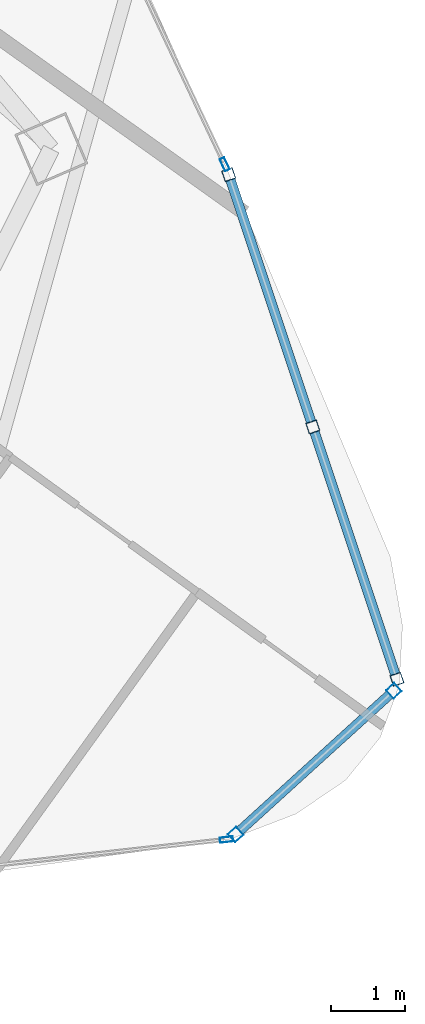
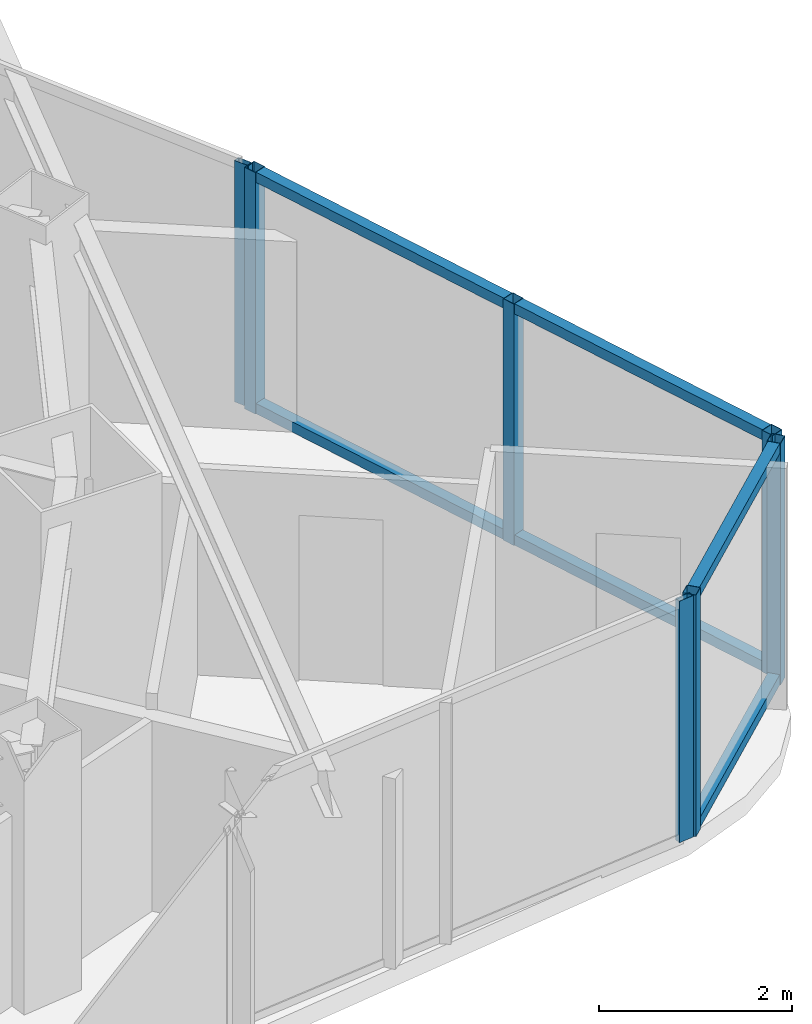
# One storey, part 14 of 30: 13 members, 4 elements without a shape of their own.
"""IFC4 building model written with IfcOpenShell, lengths in metres."""

from ifc_helpers import new_model, si_unit, direction, frame, origin, origin_2d, place, context, subcontext, project, spatial, hollow_rectangle, extrude, material, layer, layer_set, material_profile, profile_set, type_object, element, aggregate, save


model = new_model("IFC4")

# Units and contexts
model_context = context("Model", 3, precision=1e-05, world=origin(), true_north=direction((0.0, 1.0)))
body_context = subcontext(model_context, "Body", "Model", "MODEL_VIEW")
ifc_project = project(units=[si_unit("LENGTHUNIT", "METRE"), si_unit("AREAUNIT", "SQUARE_METRE"), si_unit("VOLUMEUNIT", "CUBIC_METRE"), si_unit("PLANEANGLEUNIT", "RADIAN"), si_unit("MASSUNIT", "GRAM", prefix="KILO")], contexts=[model_context])

# Site, building, storey
site_placement = place(None, origin())
site = spatial("IfcSite", under=ifc_project, at=site_placement, CompositionType="ELEMENT")
building_placement = place(site_placement, origin())
building = spatial("IfcBuilding", under=site, at=building_placement, Name="Orvanel Arch Residences", CompositionType="ELEMENT")
storey_placement = place(building_placement, frame((0.0, 0.0, 139.699951171875)))
storey = spatial("IfcBuildingStorey", under=building, at=storey_placement, Name="L39", CompositionType="ELEMENT", Elevation=139.699951171875)

# Curtain wall, members
ifc_material = material(Name="Bronze-anodised aluminium AA6063-T6", Category="aluminium")
ifc_layer_1 = layer(ifc_material, 0.18994140625)
ifc_layer_set_1 = layer_set([ifc_layer_1], Name="Bronze-anodised aluminium AA6063-T6")
curtain_wall_type_1 = type_object("IfcCurtainWallType", Name="CW5-CRN-SYS", PredefinedType="NOTDEFINED", material=ifc_layer_set_1)
curtain_wall_1_placement = place(storey_placement, origin())
curtain_wall_1 = element("IfcCurtainWall", 1, at=curtain_wall_1_placement, inside=storey, type_object=curtain_wall_type_1, Name="L39 CW5-CRN-SYS Unitised Curtain Wall", PredefinedType="NOTDEFINED")
ifc_material_profile_1 = material_profile(ifc_material, hollow_rectangle(XDim=0.14990234375, YDim=0.14990234375, WallThickness=0.0048828125, at=origin_2d()), Name="ALU150x150x5")
ifc_profile_set_1 = profile_set([ifc_material_profile_1], Name="Bronze-anodised aluminium AA6063-T6")
member_type_1 = type_object("IfcMemberType", Name="MUL-150x150", PredefinedType="MULLION", material=ifc_profile_set_1)
member_1_placement = place(storey_placement, frame((56.39453125, 5.33349609375, 0.0), z_axis=(0.0, 0.0, 1.0), x_axis=(-0.672508692738, 0.740089223129, 0.0)))
member_1 = element("IfcMember", 2, at=member_1_placement, type_object=member_type_1, Name="CW-S5 mullion 1", PredefinedType="MULLION", context=body_context, shape_type="SweptSolid", body=[
    extrude(hollow_rectangle(XDim=0.14990234375, YDim=0.14990234375, WallThickness=0.0048828125, at=origin_2d()), origin(), (0.0, 0.0, 1.0), 3.06005859375),
])
member_2_placement = place(storey_placement, frame((58.528564453125, 7.2724609375, 0.0), z_axis=(0.0, 0.0, 1.0), x_axis=(-0.672508692738, 0.740089223129, 0.0)))
member_2 = element("IfcMember", 3, at=member_2_placement, type_object=member_type_1, Name="CW-S5 mullion 2", PredefinedType="MULLION", context=body_context, shape_type="SweptSolid", body=[
    extrude(hollow_rectangle(XDim=0.14990234375, YDim=0.14990234375, WallThickness=0.0048828125, at=origin_2d()), origin(), (0.0, 0.0, 1.0), 3.06005859375),
])

curtain_wall_2_placement = place(storey_placement, origin())
curtain_wall_2 = element("IfcCurtainWall", 4, at=curtain_wall_2_placement, inside=storey, type_object=curtain_wall_type_1, Name="L39 CW5-CRN-SYS Unitised Curtain Wall", PredefinedType="NOTDEFINED")
member_3_placement = place(storey_placement, frame((58.5693359375, 7.42626953125, 0.0), z_axis=(0.0, 0.0, 1.0), x_axis=(-0.948642347398, -0.316350591471, 0.0)))
member_3 = element("IfcMember", 5, at=member_3_placement, type_object=member_type_1, Name="CW-S5 mullion 1", PredefinedType="MULLION", context=body_context, shape_type="SweptSolid", body=[
    extrude(hollow_rectangle(XDim=0.14990234375, YDim=0.14990234375, WallThickness=0.0048828125, at=origin_2d()), origin(), (0.0, 0.0, 1.0), 3.06005859375),
])
member_4_placement = place(storey_placement, frame((57.43408203125, 10.83056640625, 0.0), z_axis=(0.0, 0.0, 1.0), x_axis=(-0.948642347398, -0.316350591471, 0.0)))
member_4 = element("IfcMember", 6, at=member_4_placement, type_object=member_type_1, Name="CW-S5 mullion 2", PredefinedType="MULLION", context=body_context, shape_type="SweptSolid", body=[
    extrude(hollow_rectangle(XDim=0.14990234375, YDim=0.14990234375, WallThickness=0.0048828125, at=origin_2d()), origin(), (0.0, 0.0, 1.0), 3.06005859375),
])
member_5_placement = place(storey_placement, frame((56.298828125, 14.23486328125, 0.0), z_axis=(0.0, 0.0, 1.0), x_axis=(-0.948642347398, -0.316350591471, 0.0)))
member_5 = element("IfcMember", 7, at=member_5_placement, type_object=member_type_1, Name="CW-S5 mullion 3", PredefinedType="MULLION", context=body_context, shape_type="SweptSolid", body=[
    extrude(hollow_rectangle(XDim=0.14990234375, YDim=0.14990234375, WallThickness=0.0048828125, at=origin_2d()), origin(), (0.0, 0.0, 1.0), 3.06005859375),
])

# Curtain wall, member
ifc_layer_2 = layer(ifc_material, 0.179931640625)
ifc_layer_set_2 = layer_set([ifc_layer_2], Name="Bronze-anodised aluminium AA6063-T6")
curtain_wall_type_2 = type_object("IfcCurtainWallType", Name="CW3-MID-SYS", PredefinedType="NOTDEFINED", material=ifc_layer_set_2)
curtain_wall_3_placement = place(storey_placement, origin())
curtain_wall_3 = element("IfcCurtainWall", 8, at=curtain_wall_3_placement, inside=storey, type_object=curtain_wall_type_2, Name="L39 CW3-MID-SYS Unitised Curtain Wall", PredefinedType="NOTDEFINED")
ifc_material_profile_2 = material_profile(ifc_material, hollow_rectangle(XDim=0.070068359375, YDim=0.179931640625, WallThickness=0.00439453125, at=origin_2d()), Name="ALU180x70x4.5")
ifc_profile_set_2 = profile_set([ifc_material_profile_2], Name="Bronze-anodised aluminium AA6063-T6")
member_type_2 = type_object("IfcMemberType", Name="MUL-180x70", PredefinedType="MULLION", material=ifc_profile_set_2)
member_6_placement = place(storey_placement, frame((56.269287109375, 5.26416015625, 0.0), z_axis=(0.0, 0.0, 1.0), x_axis=(-0.109856452012, 0.993947463376, 0.0)))
member_6 = element("IfcMember", 9, at=member_6_placement, type_object=member_type_2, Name="CW-S3 mullion 4", PredefinedType="MULLION", context=body_context, shape_type="SweptSolid", body=[
    extrude(hollow_rectangle(XDim=0.070068359375, YDim=0.179931640625, WallThickness=0.00439453125, at=origin_2d()), origin(), (0.0, 0.0, 1.0), 3.06005859375),
])
aggregate(curtain_wall_3, [member_6])

curtain_wall_4_placement = place(storey_placement, origin())
curtain_wall_4 = element("IfcCurtainWall", 10, at=curtain_wall_4_placement, inside=storey, type_object=curtain_wall_type_2, Name="L39 CW3-MID-SYS Unitised Curtain Wall", PredefinedType="NOTDEFINED")
member_7_placement = place(storey_placement, frame((56.2451171875, 14.374755859375, 0.0), z_axis=(0.0, 0.0, 1.0), x_axis=(-0.904718317151, -0.426010289326, 0.0)))
member_7 = element("IfcMember", 11, at=member_7_placement, type_object=member_type_2, Name="CW-S3 mullion 1", PredefinedType="MULLION", context=body_context, shape_type="SweptSolid", body=[
    extrude(hollow_rectangle(XDim=0.070068359375, YDim=0.179931640625, WallThickness=0.00439453125, at=origin_2d()), origin(), (0.0, 0.0, 1.0), 3.06005859375),
])
aggregate(curtain_wall_4, [member_7])

# Member
ifc_material_profile_3 = material_profile(ifc_material, hollow_rectangle(XDim=0.1298828125, YDim=0.1298828125, WallThickness=0.00439453125, at=origin_2d()), Name="ALU130x130x4.5")
ifc_profile_set_3 = profile_set([ifc_material_profile_3], Name="Bronze-anodised aluminium AA6063-T6")
member_type_3 = type_object("IfcMemberType", Name="TRN-130x130", PredefinedType="USERDEFINED", material=ifc_profile_set_3)
member_8_placement = place(storey_placement, frame((56.449951171875, 5.3837890625, 0.06494140625), z_axis=(0.740061303002, 0.672539417283, 0.0), x_axis=(-0.672539417283, 0.740061303002, 0.0)))
member_8 = element("IfcMember", 12, at=member_8_placement, type_object=member_type_3, Name="CW-S5 transom 1.1", ObjectType="TRANSOM", PredefinedType="USERDEFINED", context=body_context, shape_type="SweptSolid", body=[
    extrude(hollow_rectangle(XDim=0.1298828125, YDim=0.1298828125, WallThickness=0.00439453125, at=origin_2d()), origin(), (0.0, 0.0, 1.0), 2.7333984375),
])

member_9_placement = place(storey_placement, frame((56.449951171875, 5.3837890625, 2.9951171875), z_axis=(0.740061303002, 0.672539417283, 0.0), x_axis=(-0.672539417283, 0.740061303002, 0.0)))
member_9 = element("IfcMember", 13, at=member_9_placement, type_object=member_type_3, Name="CW-S5 transom 1.2", ObjectType="TRANSOM", PredefinedType="USERDEFINED", context=body_context, shape_type="SweptSolid", body=[
    extrude(hollow_rectangle(XDim=0.1298828125, YDim=0.1298828125, WallThickness=0.00439453125, at=origin_2d()), origin(), (0.0, 0.0, 1.0), 2.7333984375),
])

aggregate(curtain_wall_1, [member_1, member_2, member_8, member_9])

member_10_placement = place(storey_placement, frame((58.545654296875, 7.497314453125, 0.06494140625), z_axis=(-0.316376862518, 0.948633586198, 0.0), x_axis=(-0.948633586198, -0.316376862518, 0.0)))
member_10 = element("IfcMember", 14, at=member_10_placement, type_object=member_type_3, Name="CW-S5 transom 1.1", ObjectType="TRANSOM", PredefinedType="USERDEFINED", context=body_context, shape_type="SweptSolid", body=[
    extrude(hollow_rectangle(XDim=0.1298828125, YDim=0.1298828125, WallThickness=0.00439453125, at=origin_2d()), origin(), (0.0, 0.0, 1.0), 3.4384765625),
])

member_11_placement = place(storey_placement, frame((58.545654296875, 7.497314453125, 2.9951171875), z_axis=(-0.316376862518, 0.948633586198, 0.0), x_axis=(-0.948633586198, -0.316376862518, 0.0)))
member_11 = element("IfcMember", 15, at=member_11_placement, type_object=member_type_3, Name="CW-S5 transom 1.2", ObjectType="TRANSOM", PredefinedType="USERDEFINED", context=body_context, shape_type="SweptSolid", body=[
    extrude(hollow_rectangle(XDim=0.1298828125, YDim=0.1298828125, WallThickness=0.00439453125, at=origin_2d()), origin(), (0.0, 0.0, 1.0), 3.4384765625),
])

member_12_placement = place(storey_placement, frame((57.41015625, 10.901611328125, 0.06494140625), z_axis=(-0.316291662605, 0.948661996797, 0.0), x_axis=(-0.948661996797, -0.316291662605, 0.0)))
member_12 = element("IfcMember", 16, at=member_12_placement, type_object=member_type_3, Name="CW-S5 transom 2.1", ObjectType="TRANSOM", PredefinedType="USERDEFINED", context=body_context, shape_type="SweptSolid", body=[
    extrude(hollow_rectangle(XDim=0.1298828125, YDim=0.1298828125, WallThickness=0.00439453125, at=origin_2d()), origin(), (0.0, 0.0, 1.0), 3.438720703125),
])

member_13_placement = place(storey_placement, frame((57.41015625, 10.901611328125, 2.9951171875), z_axis=(-0.316291662605, 0.948661996797, 0.0), x_axis=(-0.948661996797, -0.316291662605, 0.0)))
member_13 = element("IfcMember", 17, at=member_13_placement, type_object=member_type_3, Name="CW-S5 transom 2.2", ObjectType="TRANSOM", PredefinedType="USERDEFINED", context=body_context, shape_type="SweptSolid", body=[
    extrude(hollow_rectangle(XDim=0.1298828125, YDim=0.1298828125, WallThickness=0.00439453125, at=origin_2d()), origin(), (0.0, 0.0, 1.0), 3.438720703125),
])

aggregate(curtain_wall_2, [member_3, member_4, member_5, member_10, member_11, member_12, member_13])

save(model, "model.ifc")
